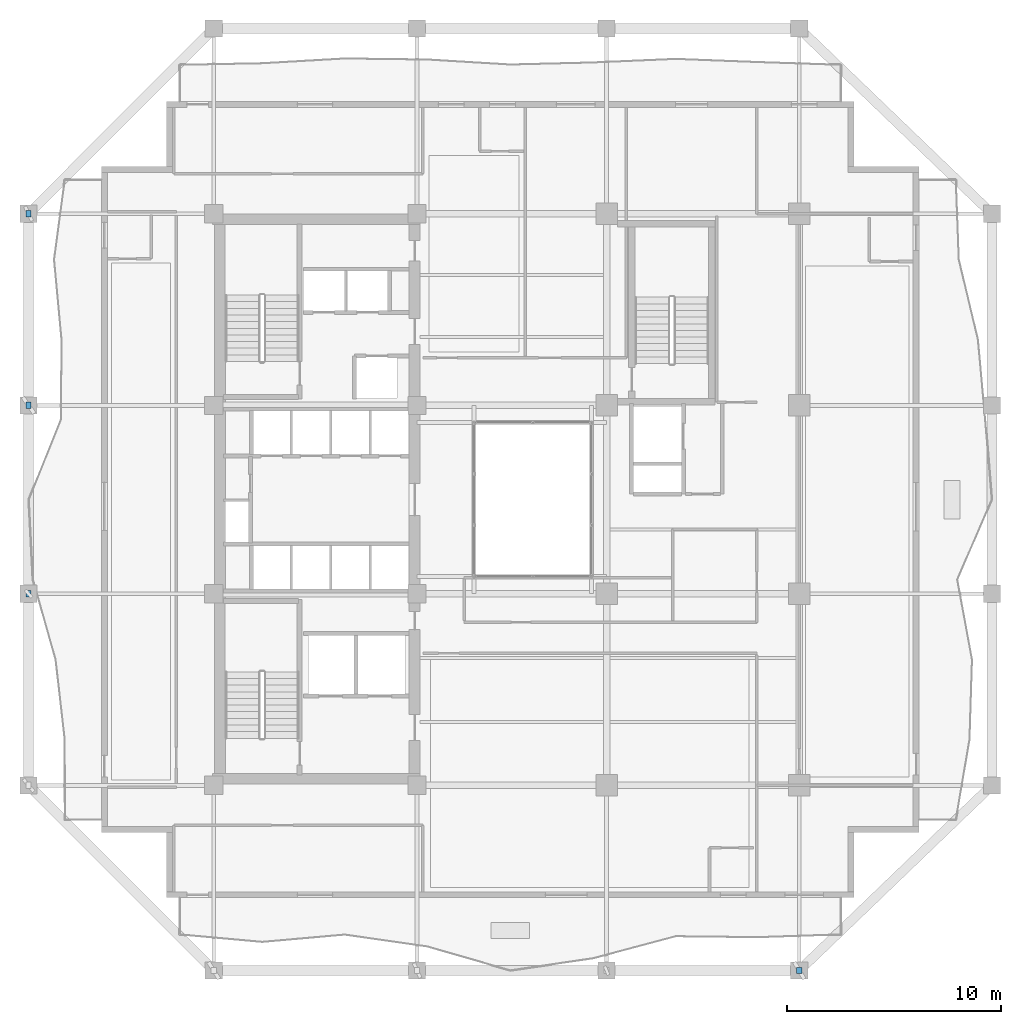
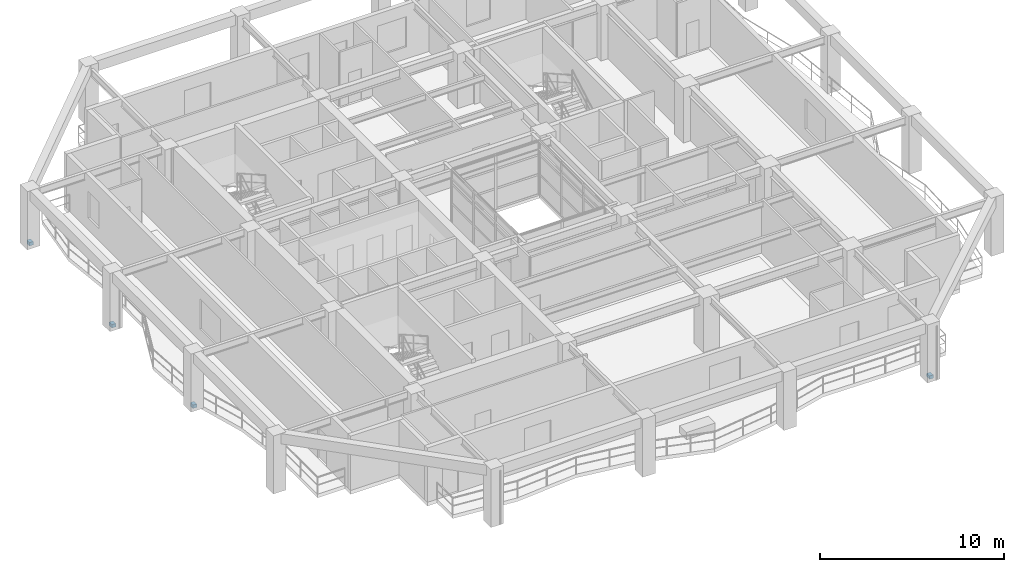
# One storey, part 10 of 14: 4 discrete accessories.
"""IFC4 building model written with IfcOpenShell, lengths in metres."""

from ifc_helpers import new_model, si_unit, direction, frame, origin, origin_2d, place, context, subcontext, project, spatial, rectangle, extrude, material, type_object, element, save


model = new_model("IFC4")

# Units and contexts
model_context = context("Model", 3, precision=1e-05, world=origin(), true_north=direction((0.0, 1.0)))
body_context = subcontext(model_context, "Body", "Model", "MODEL_VIEW")
ifc_project = project(units=[si_unit("LENGTHUNIT", "METRE"), si_unit("AREAUNIT", "SQUARE_METRE"), si_unit("VOLUMEUNIT", "CUBIC_METRE"), si_unit("PLANEANGLEUNIT", "RADIAN"), si_unit("MASSUNIT", "GRAM", prefix="KILO")], contexts=[model_context])

# Site, building, storey
site_placement = place(None, origin())
site = spatial("IfcSite", under=ifc_project, at=site_placement, CompositionType="ELEMENT")
building_placement = place(site_placement, origin())
building = spatial("IfcBuilding", under=site, at=building_placement, Name="Kundavana Baori Tower", CompositionType="ELEMENT")
storey_placement = place(building_placement, frame((0.0, 0.0, 104.0)))
storey = spatial("IfcBuildingStorey", under=building, at=storey_placement, Name="L24", CompositionType="ELEMENT", Elevation=104.0)

# Discrete accessories
ifc_material = material(Name="Structural Steel S355JR", Category="steel")
discrete_accessory_type = type_object("IfcDiscreteAccessoryType", Name="ACC-BRK-FIN", PredefinedType="BRACKET", material=ifc_material)
for number, where, z_axis, x_axis, name in (
    (1, (42.800048828125, 6.60009765625, 0.0), (0.0, 0.0, 1.0), (1.0, 0.0, 0.0), "L24 Stainless Fin Anchor Bracket 4"),
    (2, (6.800048828125, 24.199951171875, 0.0), (0.0, 0.0, 1.0), (1.0, 0.0, 0.0), "L24 Stainless Fin Anchor Bracket 6"),
    (3, (6.800048828125, 33.0, 0.0), (0.0, 0.0, 1.0), (1.0, 0.0, 0.0), "L24 Stainless Fin Anchor Bracket 7"),
    (4, (6.800048828125, 41.949951171875, 0.0), (0.0, 0.0, 1.0), (1.0, 0.0, 0.0), "L24 Stainless Fin Anchor Bracket 8"),
):
    element("IfcDiscreteAccessory", number, at=place(storey_placement, frame(where, z_axis=z_axis, x_axis=x_axis)), inside=storey, type_object=discrete_accessory_type, Name=name, PredefinedType="BRACKET", context=body_context, shape_type="SweptSolid", body=[
        extrude(rectangle(XDim=0.239990234375, YDim=0.300048828125, at=origin_2d()), origin(), (0.0, 0.0, 1.0), 0.219970703125),
    ])

save(model, "model.ifc")
